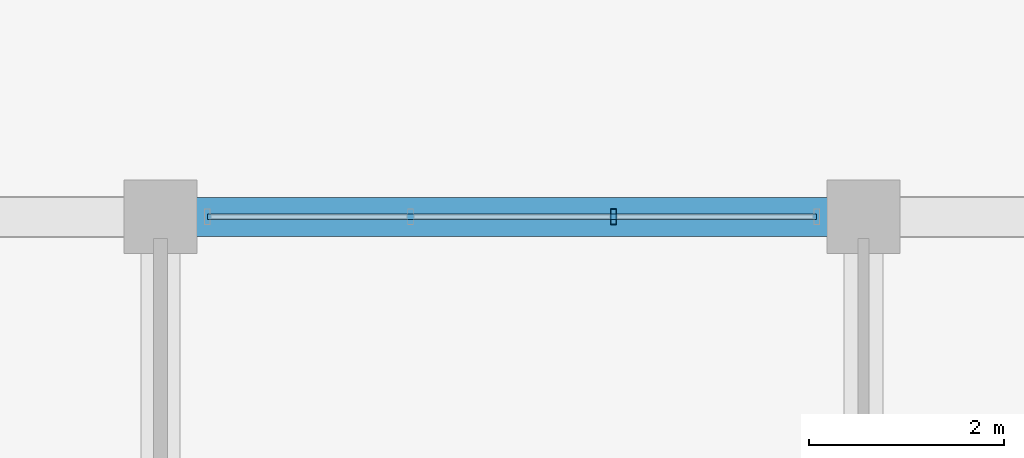
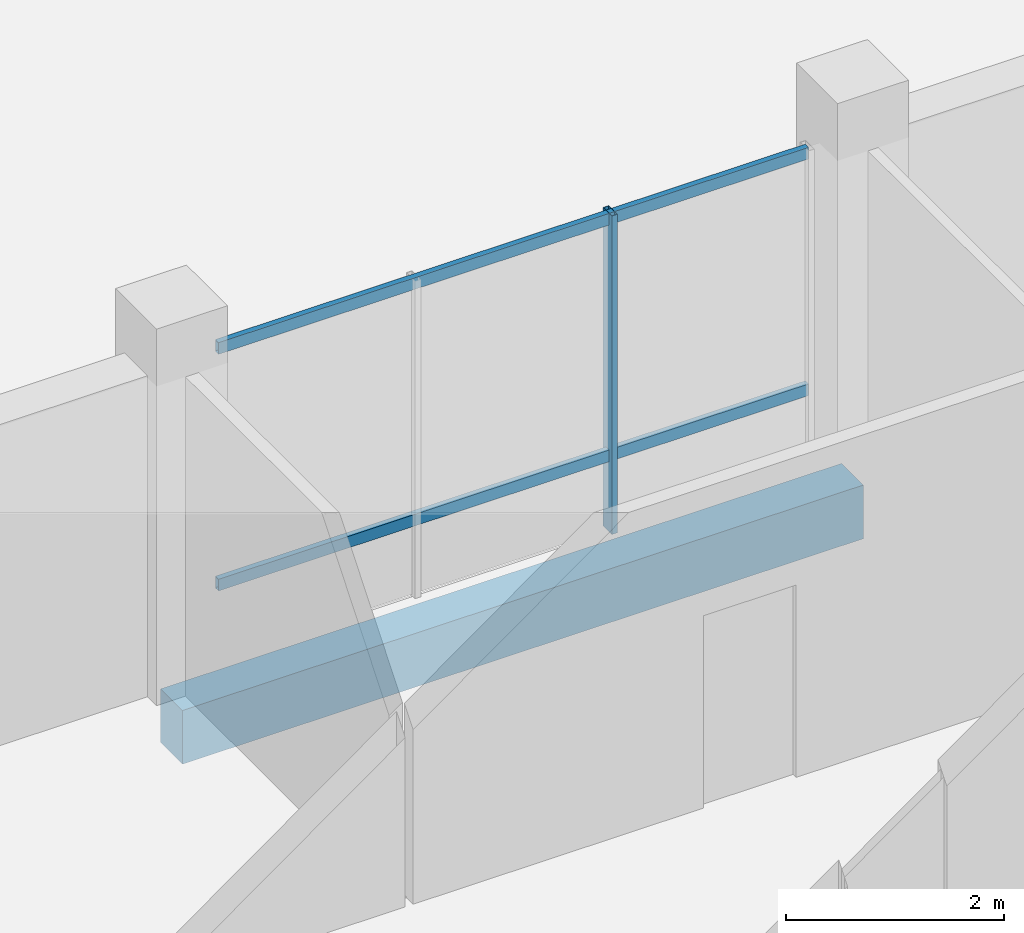
# One storey, part 19 of 98: 3 members, 1 beam, 1 element without a shape of its own.
"""IFC4 building model written with IfcOpenShell, lengths in metres."""

from ifc_helpers import new_model, si_unit, direction, frame, origin, origin_2d, place, context, subcontext, project, spatial, rectangle, hollow_rectangle, extrude, material, material_profile, profile_set, type_object, element, aggregate, save


model = new_model("IFC4")

# Units and contexts
model_context = context("Model", 3, precision=1e-05, world=origin(), true_north=direction((0.0, 1.0)))
body_context = subcontext(model_context, "Body", "Model", "MODEL_VIEW")
ifc_project = project(units=[si_unit("LENGTHUNIT", "METRE"), si_unit("AREAUNIT", "SQUARE_METRE"), si_unit("VOLUMEUNIT", "CUBIC_METRE"), si_unit("PLANEANGLEUNIT", "RADIAN"), si_unit("MASSUNIT", "GRAM", prefix="KILO")], contexts=[model_context])

# Site, building, storey
site_placement = place(None, origin())
site = spatial("IfcSite", under=ifc_project, at=site_placement, CompositionType="ELEMENT")
building_placement = place(site_placement, origin())
building = spatial("IfcBuilding", under=site, at=building_placement, Name="Zornivar Specialist Clinic", CompositionType="ELEMENT")
storey_placement = place(building_placement, origin())
storey = spatial("IfcBuildingStorey", under=building, at=storey_placement, Name="L00", CompositionType="ELEMENT", Elevation=0.0)

# Beam
ifc_material_1 = material(Name="Concrete C30/37", Category="concrete")
ifc_material_profile_1 = material_profile(ifc_material_1, rectangle(XDim=0.39990234375, YDim=0.60009765625, at=origin_2d()), Name="RC 400x600")
ifc_profile_set_1 = profile_set([ifc_material_profile_1], Name="Concrete C30/37")
beam_type = type_object("IfcBeamType", Name="BM-RC-400x600", PredefinedType="BEAM", material=ifc_profile_set_1)
beam_placement = place(storey_placement, frame((21.60009765625, 14.39990234375, -0.580078125), z_axis=(1.0, 0.0, 0.0), x_axis=(0.0, 1.0, 0.0)))
element("IfcBeam", 1, at=beam_placement, inside=storey, type_object=beam_type, Name="bm:V2:L00:x:144:3", PredefinedType="BEAM", context=body_context, shape_type="SweptSolid", body=[
    extrude(rectangle(XDim=0.39990234375, YDim=0.60009765625, at=origin_2d()), origin(), (0.0, 0.0, 1.0), 7.199951171875),
])

# Curtain wall, members
ifc_material_2 = material(Name="Aluminium and Low-E Glass Curtain Wall", Category="aluminium")
curtain_wall_type = type_object("IfcCurtainWallType", Name="CW-REVAK-COURT", PredefinedType="NOTDEFINED", material=ifc_material_2)
curtain_wall_placement = place(storey_placement, origin())
curtain_wall = element("IfcCurtainWall", 2, at=curtain_wall_placement, inside=storey, type_object=curtain_wall_type, Name="cw:V2:L00:12", PredefinedType="NOTDEFINED")
ifc_material_3 = material(Name="Aluminium AW-6060", Category="aluminium")
ifc_material_profile_2 = material_profile(ifc_material_3, hollow_rectangle(XDim=0.06005859375, YDim=0.159912109375, WallThickness=0.00390625, at=origin_2d()), Name="ALU 60x160x4")
ifc_profile_set_2 = profile_set([ifc_material_profile_2], Name="Aluminium AW-6060")
member_type_1 = type_object("IfcMemberType", Name="CWM-MUL-160", PredefinedType="MULLION", material=ifc_profile_set_2)
member_1_placement = place(storey_placement, frame((26.239990234375, 14.39990234375, 0.0), z_axis=(0.0, 0.0, 1.0), x_axis=(1.0, 0.0, 0.0)))
member_1 = element("IfcMember", 3, at=member_1_placement, type_object=member_type_1, Name="cw:V2:L00:12:mul:1", PredefinedType="MULLION", context=body_context, shape_type="SweptSolid", body=[
    extrude(hollow_rectangle(XDim=0.06005859375, YDim=0.159912109375, WallThickness=0.00390625, at=origin_2d()), origin(), (0.0, 0.0, 1.0), 3.56005859375),
])
ifc_material_4 = material(Name="Aluminium AW-6060", Category="aluminium")
ifc_material_profile_3 = material_profile(ifc_material_4, hollow_rectangle(XDim=0.06005859375, YDim=0.1298828125, WallThickness=0.00390625, at=origin_2d()), Name="ALU 60x130x4")
ifc_profile_set_3 = profile_set([ifc_material_profile_3], Name="Aluminium AW-6060")
member_type_2 = type_object("IfcMemberType", Name="CWM-TRN-130", PredefinedType="USERDEFINED", material=ifc_profile_set_3)
member_2_placement = place(storey_placement, frame((28.320068359375, 14.39990234375, 0.85009765625), z_axis=(-1.0, 0.0, 0.0), x_axis=(0.0, -1.0, 0.0)))
member_2 = element("IfcMember", 4, at=member_2_placement, type_object=member_type_2, Name="cw:V2:L00:12:trn:0", ObjectType="TRANSOM", PredefinedType="USERDEFINED", context=body_context, shape_type="SweptSolid", body=[
    extrude(hollow_rectangle(XDim=0.06005859375, YDim=0.1298828125, WallThickness=0.00390625, at=origin_2d()), origin(), (0.0, 0.0, 1.0), 6.239990234375),
])
member_3_placement = place(storey_placement, frame((28.320068359375, 14.39990234375, 3.4951171875), z_axis=(-1.0, 0.0, 0.0), x_axis=(0.0, -1.0, 0.0)))
member_3 = element("IfcMember", 5, at=member_3_placement, type_object=member_type_2, Name="cw:V2:L00:12:trn:1", ObjectType="TRANSOM", PredefinedType="USERDEFINED", context=body_context, shape_type="SweptSolid", body=[
    extrude(hollow_rectangle(XDim=0.06005859375, YDim=0.1298828125, WallThickness=0.00390625, at=origin_2d()), origin(), (0.0, 0.0, 1.0), 6.239990234375),
])
aggregate(curtain_wall, [member_1, member_2, member_3])

save(model, "model.ifc")
